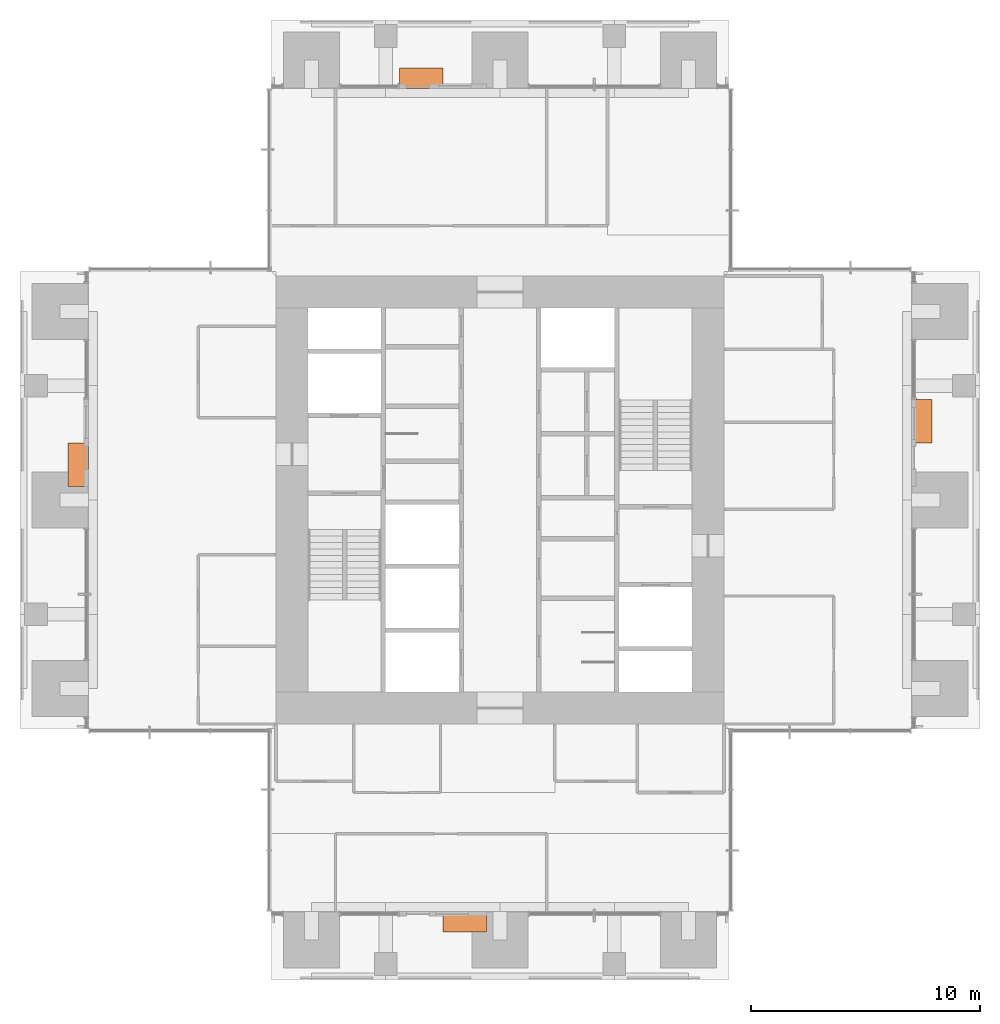
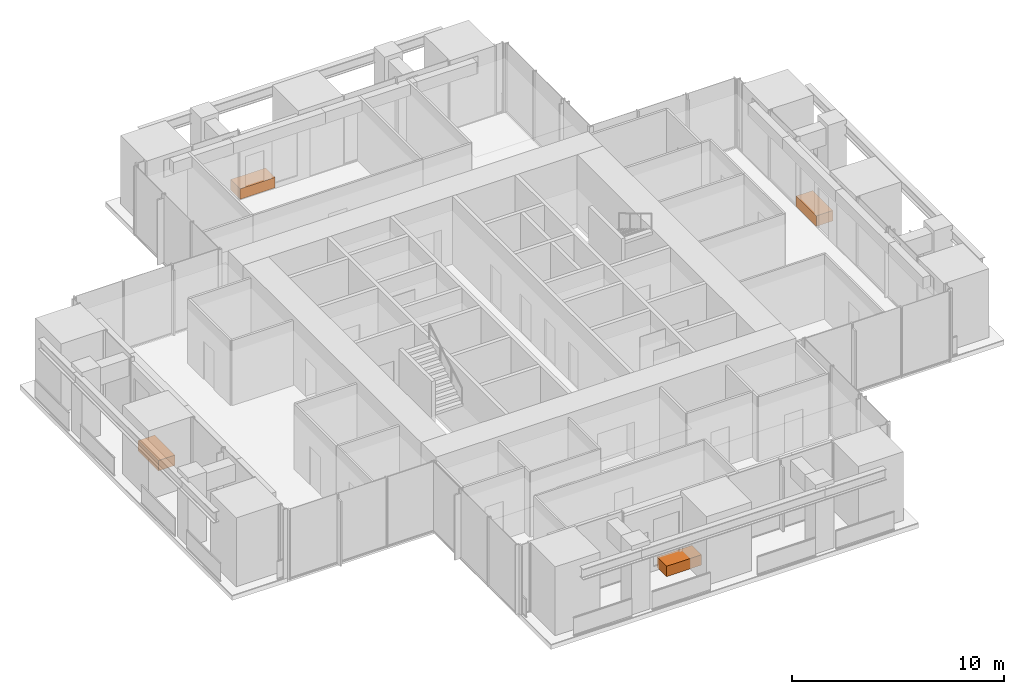
# One storey, part 17 of 17: 4 proxies.
"""IFC4 building model written with IfcOpenShell, lengths in metres."""

import ifcopenshell
import ifcopenshell.guid

model = None  # the IFC model being written
_history = None  # IfcOwnerHistory: only IFC2X3 demands one
_inside = {}  # id of a spatial element -> (the spatial element, [elements in it])
_under = {}  # id of a project, library or spatial element -> (it, [spatial elements below it])
_declared = {}  # id of a project -> (the project, [libraries it declares])
_typed = {}  # id of a type object -> (the type object, [elements of that type])
_made_of = {}  # id of a material, layer set ... -> (it, [elements and type objects made of it])


def new_model(schema):
    """Start an empty IFC model of exactly this schema.

    Asked for "IFC4X3", IfcOpenShell would pick the latest addendum, in which some entities
    have other attributes; the version numbers below select the first issue.
    IFC2X3 requires an IfcOwnerHistory on every rooted entity: one is made here for all.
    """
    global model, _history
    if schema == "IFC4X3":
        model = ifcopenshell.file(schema_version=(4, 3, 0, 0))
    else:
        model = ifcopenshell.file(schema=schema)
    _inside.clear()
    _under.clear()
    _declared.clear()
    _typed.clear()
    _made_of.clear()
    _history = None
    if model.schema == "IFC2X3":
        org = make("IfcOrganization", Name="unknown")
        user = make(
            "IfcPersonAndOrganization",
            ThePerson=make("IfcPerson", FamilyName="unknown"),
            TheOrganization=org,
        )
        app = make(
            "IfcApplication",
            ApplicationDeveloper=org,
            Version="unknown",
            ApplicationFullName="unknown",
            ApplicationIdentifier="unknown",
        )
        _history = make(
            "IfcOwnerHistory",
            OwningUser=user,
            OwningApplication=app,
            ChangeAction="ADDED",
            CreationDate=0,
        )
    return model


def make(cls, **values):
    """One entity of the class cls with the attributes given. An attribute that is None is left unset."""
    return model.create_entity(
        cls, **{name: value for name, value in values.items() if value is not None}
    )


def rooted(cls, **values):
    """An entity with a GlobalId (a new one), such as an element, a storey or a relation."""
    return make(cls, GlobalId=ifcopenshell.guid.new(), OwnerHistory=_history, **values)


def si_unit(unit_type, name, prefix=None):
    """IfcSIUnit, for example si_unit("LENGTHUNIT", "METRE", prefix="MILLI")."""
    return make("IfcSIUnit", UnitType=unit_type, Prefix=prefix, Name=name)


def assignment(units):
    """IfcUnitAssignment: the units of a project."""
    return None if units is None else make("IfcUnitAssignment", Units=units)


def point(xyz):
    """IfcCartesianPoint."""
    return None if xyz is None else make("IfcCartesianPoint", Coordinates=xyz)


def direction(xyz):
    """IfcDirection."""
    return None if xyz is None else make("IfcDirection", DirectionRatios=xyz)


def frame(location, z_axis=None, x_axis=None):
    """IfcAxis2Placement3D, a coordinate frame: its origin and axes. An axis left out is left unset."""
    return make(
        "IfcAxis2Placement3D",
        Location=point(location),
        Axis=direction(z_axis),
        RefDirection=direction(x_axis),
    )


def frame_2d(location, x_axis=None):
    """IfcAxis2Placement2D, a coordinate frame in the plane: its origin and x axis."""
    return make(
        "IfcAxis2Placement2D", Location=point(location), RefDirection=direction(x_axis)
    )


def origin():
    """The frame at (0, 0, 0) with its axes left unset."""
    return frame((0.0, 0.0, 0.0))


def origin_2d():
    """The frame at (0, 0) in the plane with its x axis left unset."""
    return frame_2d((0.0, 0.0))


def place(relative_to, where):
    """IfcLocalPlacement: puts the frame where relative to a parent placement (None: the world)."""
    return make(
        "IfcLocalPlacement", PlacementRelTo=relative_to, RelativePlacement=where
    )


def context(
    kind, dimensions, precision=None, world=None, true_north=None, identifier=None
):
    """IfcGeometricRepresentationContext, for example the 3D "Model" context."""
    return make(
        "IfcGeometricRepresentationContext",
        ContextIdentifier=identifier,
        ContextType=kind,
        CoordinateSpaceDimension=dimensions,
        Precision=precision,
        WorldCoordinateSystem=world,
        TrueNorth=true_north,
    )


def subcontext(parent, identifier, kind, view, scale=None):
    """IfcGeometricRepresentationSubContext, for example "Body" below "Model"."""
    return make(
        "IfcGeometricRepresentationSubContext",
        ContextIdentifier=identifier,
        ContextType=kind,
        ParentContext=parent,
        TargetScale=scale,
        TargetView=view,
    )


def project(units=None, contexts=None):
    """IfcProject with its units and contexts."""
    return rooted(
        "IfcProject",
        Name="project",
        RepresentationContexts=contexts,
        UnitsInContext=assignment(units),
    )


def spatial(cls, under=None, at=None, **own):
    """A site, building, storey or space (cls), placed at a placement, below another one or the project."""
    s = rooted(cls, ObjectPlacement=at, **own)
    if under is not None:
        _under.setdefault(under.id(), (under, []))[1].append(s)
    return s


def profile(cls, at=None, kind="AREA", **sizes):
    """A parametric profile (cls). Its sizes go by their IFC names, for example OverallWidth=200.0."""
    return make(cls, ProfileType=kind, Position=at, **sizes)


def rectangle(**sizes):
    """IfcRectangleProfileDef."""
    return profile("IfcRectangleProfileDef", **sizes)


def extrude(swept, where, along, depth):
    """IfcExtrudedAreaSolid: the profile swept, set in the frame where, extruded along a direction by depth."""
    return make(
        "IfcExtrudedAreaSolid",
        SweptArea=swept,
        Position=where,
        ExtrudedDirection=direction(along),
        Depth=depth,
    )


def shape(context_of_items, identifier, shape_type, items):
    """IfcShapeRepresentation: the items that make up one representation, for example the "Body"."""
    return make(
        "IfcShapeRepresentation",
        ContextOfItems=context_of_items,
        RepresentationIdentifier=identifier,
        RepresentationType=shape_type,
        Items=items,
    )


def made_of(thing, what):
    """Note that an element or type object is made of a material, layer set ...; save() writes the relation."""
    if what is not None:
        _made_of.setdefault(what.id(), (what, []))[1].append(thing)
    return thing


def element(
    cls,
    number,
    at=None,
    inside=None,
    cuts=None,
    type_object=None,
    material=None,
    context=None,
    identifier="Body",
    shape_type=None,
    held_by="IfcProductDefinitionShape",
    body=None,
    shapes=None,
    **own,
):
    """One element of the class cls, such as IfcWall. Its Tag is "e" and its number.

    at: its placement. inside: the storey or other place that contains it. cuts: it is an
    opening in that element (IfcRelVoidsElement). A single representation is given by context,
    identifier, shape_type and body (its items); several are given by shapes. held_by: the class
    of the entity that holds the representations. save() writes the other relations.
    """
    e = rooted(cls, Tag="e%d" % number, ObjectPlacement=at, **own)
    if body is not None:
        shapes = [shape(context, identifier, shape_type, body)]
    if shapes is not None:
        e.Representation = make(held_by, Representations=shapes)
    if inside is not None:
        _inside.setdefault(inside.id(), (inside, []))[1].append(e)
    if cuts is not None:
        rooted(
            "IfcRelVoidsElement", RelatingBuildingElement=cuts, RelatedOpeningElement=e
        )
    if type_object is not None:
        _typed.setdefault(type_object.id(), (type_object, []))[1].append(e)
    return made_of(e, material)


def aggregate(whole, parts):
    """IfcRelAggregates: a whole, such as a stair, and the parts it consists of."""
    return rooted("IfcRelAggregates", RelatingObject=whole, RelatedObjects=parts)


def save(model, path):
    """Write the relations noted so far, then the file.

    IfcRelAggregates (storeys below a building ...), IfcRelContainedInSpatialStructure (elements
    in a storey), IfcRelDefinesByType, IfcRelAssociatesMaterial and IfcRelDeclares: one each for
    every whole, place, type object, material and project.
    """
    for whole, parts in _under.values():
        aggregate(whole, parts)
    for where, things in _inside.values():
        rooted(
            "IfcRelContainedInSpatialStructure",
            RelatedElements=things,
            RelatingStructure=where,
        )
    for kind, things in _typed.values():
        rooted("IfcRelDefinesByType", RelatedObjects=things, RelatingType=kind)
    for what, things in _made_of.values():
        rooted("IfcRelAssociatesMaterial", RelatedObjects=things, RelatingMaterial=what)
    for by, libraries in _declared.values():
        rooted("IfcRelDeclares", RelatingContext=by, RelatedDefinitions=libraries)
    model.write(path)


model = new_model("IFC4")

# Units and contexts
model_context = context("Model", 3, precision=1e-05, world=origin(), true_north=direction((0.0, 1.0)))
body_context = subcontext(model_context, "Body", "Model", "MODEL_VIEW")
ifc_project = project(units=[si_unit("LENGTHUNIT", "METRE"), si_unit("AREAUNIT", "SQUARE_METRE"), si_unit("VOLUMEUNIT", "CUBIC_METRE"), si_unit("PLANEANGLEUNIT", "RADIAN"), si_unit("MASSUNIT", "GRAM", prefix="KILO")], contexts=[model_context])

# Site, building, storey
site_placement = place(None, origin())
site = spatial("IfcSite", under=ifc_project, at=site_placement, CompositionType="ELEMENT")
building_placement = place(site_placement, origin())
building = spatial("IfcBuilding", under=site, at=building_placement, Name="Svetlomir Tower", CompositionType="ELEMENT")
storey_placement = place(building_placement, frame((0.0, 0.0, 190.5)))
storey = spatial("IfcBuildingStorey", under=building, at=storey_placement, Name="L45", CompositionType="ELEMENT", Elevation=190.5)

# Proxies
proxy_1_placement = place(storey_placement, frame((19.449951171875, 2.550048828125, 0.0400390625), z_axis=(0.0, 0.0, 1.0), x_axis=(1.0, 0.0, 0.0)))
element("IfcBuildingElementProxy", 1, at=proxy_1_placement, inside=storey, Name="Tree planter S L45", ObjectType="PLANTER", PredefinedType="USERDEFINED", context=body_context, shape_type="SweptSolid", body=[
    extrude(rectangle(XDim=1.89990234375, YDim=0.89990234375, at=origin_2d()), origin(), (0.0, 0.0, 1.0), 0.60009765625),
])
proxy_2_placement = place(storey_placement, frame((39.449951171875, 24.449951171875, 0.0400390625), z_axis=(0.0, 0.0, 1.0), x_axis=(1.0, 0.0, 0.0)))
element("IfcBuildingElementProxy", 2, at=proxy_2_placement, inside=storey, Name="Tree planter E L45", ObjectType="PLANTER", PredefinedType="USERDEFINED", context=body_context, shape_type="SweptSolid", body=[
    extrude(rectangle(XDim=0.89990234375, YDim=1.89990234375, at=origin_2d()), origin(), (0.0, 0.0, 1.0), 0.60009765625),
])
proxy_3_placement = place(storey_placement, frame((17.550048828125, 39.449951171875, 0.0400390625), z_axis=(0.0, 0.0, 1.0), x_axis=(1.0, 0.0, 0.0)))
element("IfcBuildingElementProxy", 3, at=proxy_3_placement, inside=storey, Name="Tree planter N L45", ObjectType="PLANTER", PredefinedType="USERDEFINED", context=body_context, shape_type="SweptSolid", body=[
    extrude(rectangle(XDim=1.89990234375, YDim=0.89990234375, at=origin_2d()), origin(), (0.0, 0.0, 1.0), 0.60009765625),
])
proxy_4_placement = place(storey_placement, frame((2.550048828125, 22.550048828125, 0.0400390625), z_axis=(0.0, 0.0, 1.0), x_axis=(1.0, 0.0, 0.0)))
element("IfcBuildingElementProxy", 4, at=proxy_4_placement, inside=storey, Name="Tree planter W L45", ObjectType="PLANTER", PredefinedType="USERDEFINED", context=body_context, shape_type="SweptSolid", body=[
    extrude(rectangle(XDim=0.89990234375, YDim=1.89990234375, at=origin_2d()), origin(), (0.0, 0.0, 1.0), 0.60009765625),
])

save(model, "model.ifc")
